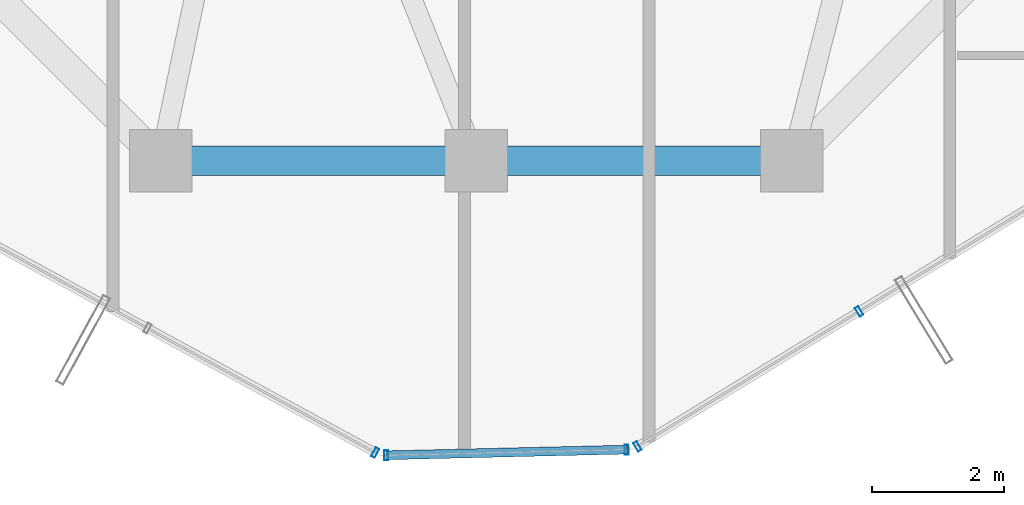
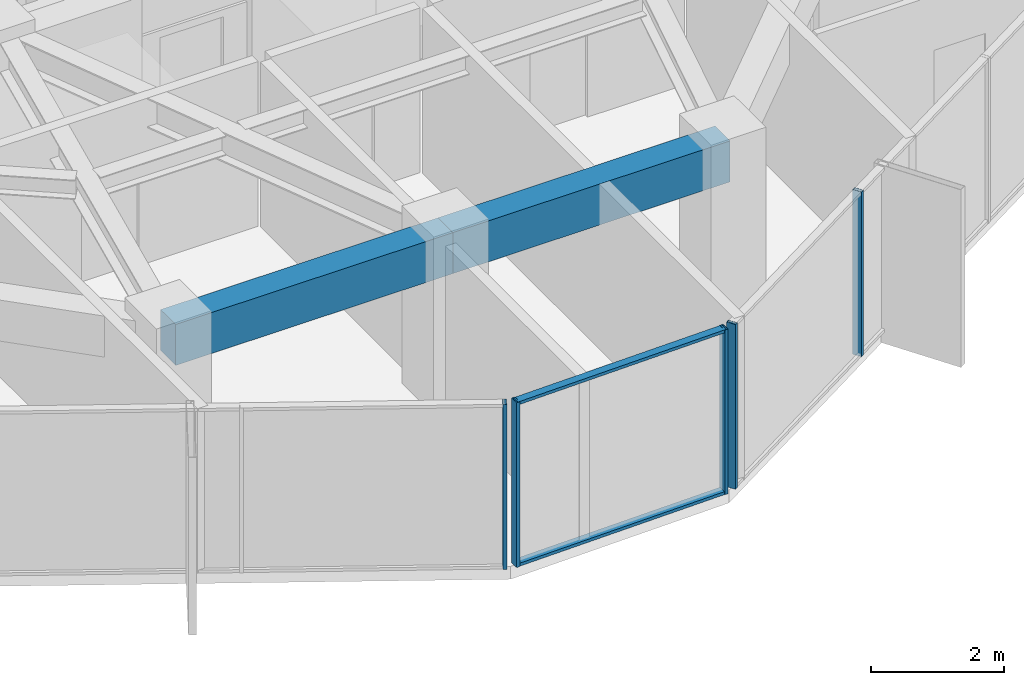
# One storey, part 7 of 32: 7 members, 2 beams, 3 elements without a shape of their own.
"""IFC4 building model written with IfcOpenShell, lengths in metres."""

from ifc_helpers import new_model, si_unit, direction, frame, origin, origin_2d, place, context, subcontext, project, spatial, rectangle, hollow_rectangle, extrude, source, transform, mapped, material, layer, layer_set, material_profile, profile_set, type_object, element, aggregate, save


model = new_model("IFC4")

# Units and contexts
model_context = context("Model", 3, precision=1e-05, world=origin(), true_north=direction((0.0, 1.0)))
body_context = subcontext(model_context, "Body", "Model", "MODEL_VIEW")
ifc_project = project(units=[si_unit("LENGTHUNIT", "METRE"), si_unit("AREAUNIT", "SQUARE_METRE"), si_unit("VOLUMEUNIT", "CUBIC_METRE"), si_unit("PLANEANGLEUNIT", "RADIAN"), si_unit("MASSUNIT", "GRAM", prefix="KILO")], contexts=[model_context])

# Site, building, storey
site_placement = place(None, origin())
site = spatial("IfcSite", under=ifc_project, at=site_placement, CompositionType="ELEMENT")
building_placement = place(site_placement, origin())
building = spatial("IfcBuilding", under=site, at=building_placement, Name="Veraguas Prism Commons", CompositionType="ELEMENT")
storey_placement = place(building_placement, frame((0.0, 0.0, 201.60009765625)))
storey = spatial("IfcBuildingStorey", under=building, at=storey_placement, Name="L57", CompositionType="ELEMENT", Elevation=201.60009765625)

# Beams
ifc_material_1 = material(Name="Concrete C50/60", Category="concrete")
ifc_material_profile_1 = material_profile(ifc_material_1, rectangle(XDim=0.449951171875, YDim=0.75, at=origin_2d()), Name="RC450X750")
ifc_profile_set_1 = profile_set([ifc_material_profile_1], Name="Concrete C50/60")
beam_type = type_object("IfcBeamType", Name="Perimeter Spandrel Upper RC 450x750", PredefinedType="SPANDREL", material=ifc_profile_set_1)
for number, where, z_axis, x_axis, name in (
    (1, (19.199951171875, 9.10009765625, 2.639892578125), (1.0, 0.0, 0.0), (0.0, 1.0, 0.0), "Perimeter Spandrel Beam L57-SP10"),
    (2, (24.0, 9.10009765625, 2.639892578125), (1.0, 0.0, 0.0), (0.0, 1.0, 0.0), "Perimeter Spandrel Beam L57-SP11"),
):
    element("IfcBeam", number, at=place(storey_placement, frame(where, z_axis=z_axis, x_axis=x_axis)), inside=storey, type_object=beam_type, Name=name, PredefinedType="SPANDREL", context=body_context, shape_type="SweptSolid", body=[
        extrude(rectangle(XDim=0.449951171875, YDim=0.75, at=origin_2d()), origin(), (0.0, 0.0, 1.0), 4.800048828125),
    ])

# Curtain wall, member
ifc_material_2 = material(Name="Anodised aluminium EN AW-6063 T6", Category="aluminium")
ifc_layer = layer(ifc_material_2, 0.14990234375, Name="Unitised Flush Curtain Wall Zone 3", Category="aluminium")
ifc_layer_set = layer_set([ifc_layer], Name="Anodised aluminium EN AW-6063 T6")
curtain_wall_type = type_object("IfcCurtainWallType", Name="Unitised Flush Curtain Wall Zone 3", PredefinedType="NOTDEFINED", material=ifc_layer_set)
curtain_wall_1_placement = place(storey_placement, origin())
curtain_wall_1 = element("IfcCurtainWall", 3, at=curtain_wall_1_placement, inside=storey, type_object=curtain_wall_type, Name="Tower Facade Curtain Wall L57-F4", PredefinedType="NOTDEFINED")
ifc_material_profile_2 = material_profile(ifc_material_2, hollow_rectangle(XDim=0.06005859375, YDim=0.14990234375, WallThickness=0.0029296875, at=origin_2d()), Name="AL60X150X3")
ifc_profile_set_2 = profile_set([ifc_material_profile_2], Name="Anodised aluminium EN AW-6063 T6")
member_type_1 = type_object("IfcMemberType", Name="Curtain Wall Mullion Upper AL 60x150x3", PredefinedType="MULLION", material=ifc_profile_set_2)
shared_shape_1 = source(origin(), body_context, "Body", "SweptSolid", [
    extrude(hollow_rectangle(XDim=0.06005859375, YDim=0.14990234375, WallThickness=0.0029296875, at=origin_2d()), origin(), (0.0, 0.0, 1.0), 3.014892578125),
])
member_1_placement = place(storey_placement, frame((22.46337890625, 4.659912109375, 0.0), z_axis=(0.0, 0.0, 1.0), x_axis=(0.877646898441, -0.479307752553, 0.0)))
member_1 = element("IfcMember", 4, at=member_1_placement, type_object=member_type_1, Name="CW-Z3 Mullion 5", PredefinedType="MULLION", context=body_context, shape_type="MappedRepresentation", body=[
    mapped(shared_shape_1, transform((0.0, 0.0, 0.0), scale=1.0)),
])
aggregate(curtain_wall_1, [member_1])

# Curtain wall, members
curtain_wall_2_placement = place(storey_placement, origin())
curtain_wall_2 = element("IfcCurtainWall", 5, at=curtain_wall_2_placement, inside=storey, type_object=curtain_wall_type, Name="Tower Facade Curtain Wall L57-F5", PredefinedType="NOTDEFINED")
member_2_placement = place(storey_placement, frame((26.45263671875, 4.754638671875, 0.0), z_axis=(0.0, 0.0, 1.0), x_axis=(0.853914322581, 0.520413614052, 0.0)))
member_2 = element("IfcMember", 6, at=member_2_placement, type_object=member_type_1, Name="CW-Z3 Mullion 1", PredefinedType="MULLION", context=body_context, shape_type="MappedRepresentation", body=[
    mapped(shared_shape_1, transform((0.0, 0.0, 0.0), scale=1.0)),
])
member_3_placement = place(storey_placement, frame((29.82177734375, 6.807861328125, 0.0), z_axis=(0.0, 0.0, 1.0), x_axis=(0.853914322581, 0.520413614052, 0.0)))
member_3 = element("IfcMember", 7, at=member_3_placement, type_object=member_type_1, Name="CW-Z3 Mullion 2", PredefinedType="MULLION", context=body_context, shape_type="MappedRepresentation", body=[
    mapped(shared_shape_1, transform((0.0, 0.0, 0.0), scale=1.0)),
])
aggregate(curtain_wall_2, [member_2, member_3])

curtain_wall_3_placement = place(storey_placement, origin())
curtain_wall_3 = element("IfcCurtainWall", 8, at=curtain_wall_3_placement, inside=storey, type_object=curtain_wall_type, Name="Chamfer Curtain Wall L57-C5", PredefinedType="NOTDEFINED")
member_4_placement = place(storey_placement, frame((22.63232421875, 4.618896484375, 0.0), z_axis=(0.0, 0.0, 1.0), x_axis=(0.999718012994, 0.023746462815, 0.0)))
member_4 = element("IfcMember", 9, at=member_4_placement, type_object=member_type_1, Name="CW-Z3 Mullion 1", PredefinedType="MULLION", context=body_context, shape_type="MappedRepresentation", body=[
    mapped(shared_shape_1, transform((0.0, 0.0, 0.0), scale=1.0)),
])
member_5_placement = place(storey_placement, frame((26.28564453125, 4.70556640625, 0.0), z_axis=(0.0, 0.0, 1.0), x_axis=(0.999718012994, 0.023746462815, 0.0)))
member_5 = element("IfcMember", 10, at=member_5_placement, type_object=member_type_1, Name="CW-Z3 Mullion 2", PredefinedType="MULLION", context=body_context, shape_type="MappedRepresentation", body=[
    mapped(shared_shape_1, transform((0.0, 0.0, 0.0), scale=1.0)),
])
ifc_material_profile_3 = material_profile(ifc_material_2, hollow_rectangle(XDim=0.054931640625, YDim=0.135009765625, WallThickness=0.0029296875, at=origin_2d()), Name="AL55X135X3")
ifc_profile_set_3 = profile_set([ifc_material_profile_3], Name="Anodised aluminium EN AW-6063 T6")
member_type_2 = type_object("IfcMemberType", Name="Curtain Wall Transom Standard AL 55x135x3", PredefinedType="USERDEFINED", material=ifc_profile_set_3)
shared_shape_2 = source(origin(), body_context, "Body", "SweptSolid", [
    extrude(hollow_rectangle(XDim=0.054931640625, YDim=0.135009765625, WallThickness=0.0029296875, at=origin_2d()), origin(), (0.0, 0.0, 1.0), 3.654296875),
])
member_6_placement = place(storey_placement, frame((22.63232421875, 4.618896484375, 0.02734375), z_axis=(0.99971871405, 0.023716930198, 0.0), x_axis=(0.0, 0.0, 1.0)))
member_6 = element("IfcMember", 11, at=member_6_placement, type_object=member_type_2, Name="CW-Z3 Transom 1", ObjectType="TRANSOM", PredefinedType="USERDEFINED", context=body_context, shape_type="MappedRepresentation", body=[
    mapped(shared_shape_2, transform((0.0, 0.0, 0.0), scale=1.0)),
])
member_7_placement = place(storey_placement, frame((22.63232421875, 4.618896484375, 2.9873046875), z_axis=(0.99971871405, 0.023716930198, 0.0), x_axis=(0.0, 0.0, 1.0)))
member_7 = element("IfcMember", 12, at=member_7_placement, type_object=member_type_2, Name="CW-Z3 Transom 2", ObjectType="TRANSOM", PredefinedType="USERDEFINED", context=body_context, shape_type="MappedRepresentation", body=[
    mapped(shared_shape_2, transform((0.0, 0.0, 0.0), scale=1.0)),
])
aggregate(curtain_wall_3, [member_4, member_5, member_6, member_7])

save(model, "model.ifc")
